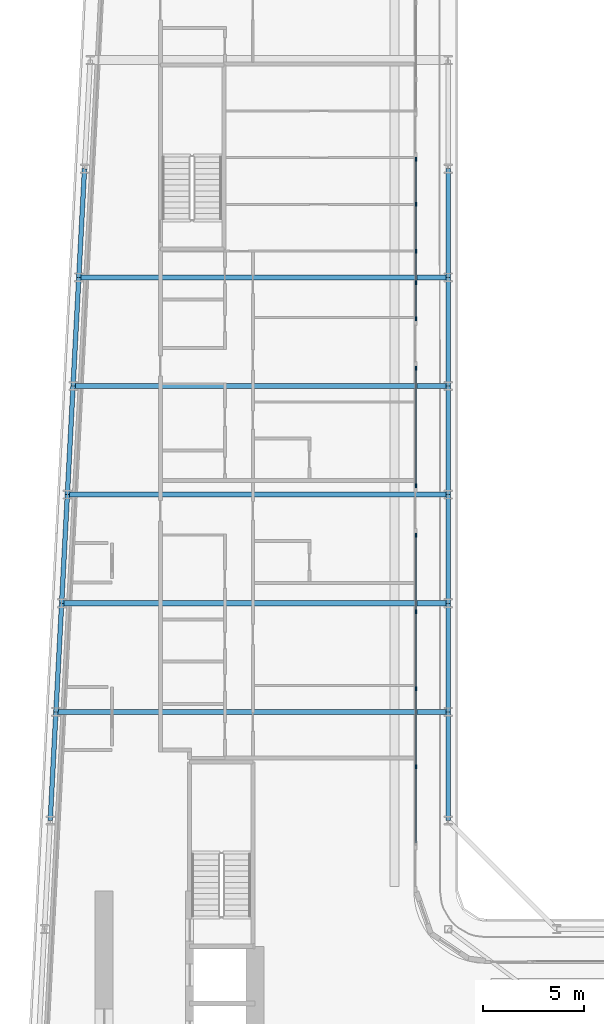
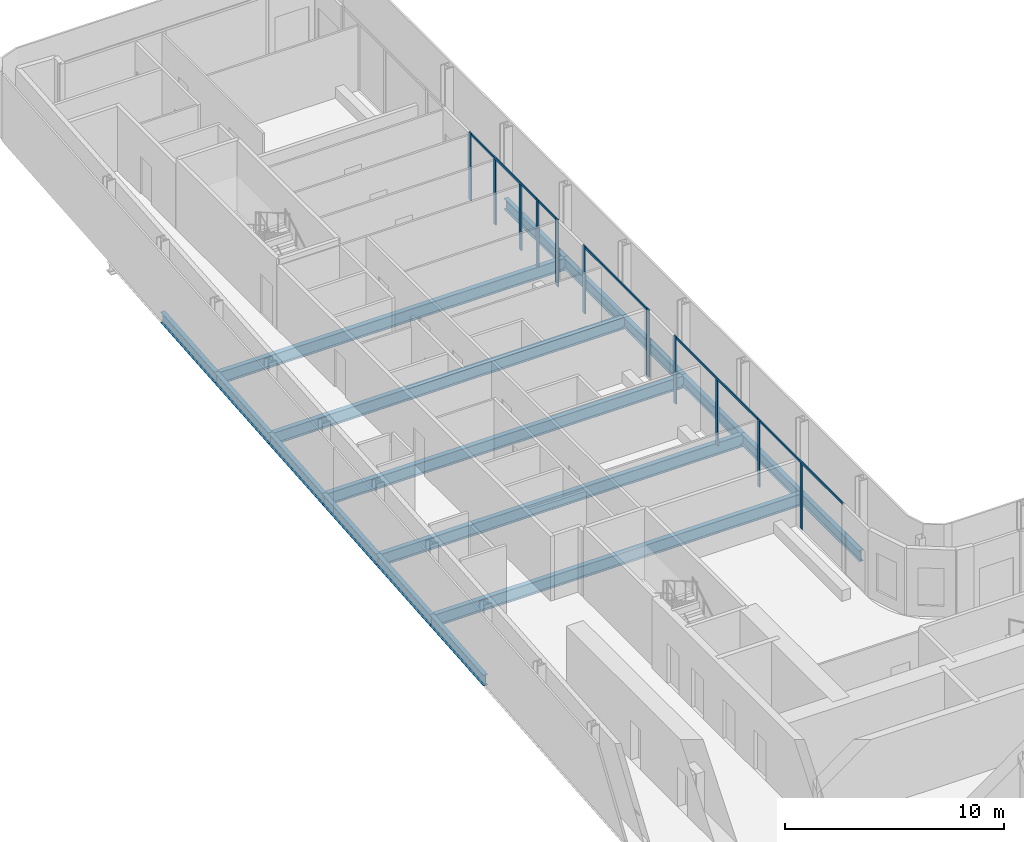
# One storey, part 7 of 28: 17 beams, 16 members, 5 elements without a shape of their own.
"""IFC4 building model written with IfcOpenShell, lengths in metres."""

from ifc_helpers import new_model, si_unit, direction, frame, origin, origin_2d, place, context, subcontext, project, spatial, rectangle, i_section, extrude, material, layer, layer_set, material_profile, profile_set, type_object, element, aggregate, save


model = new_model("IFC4")

# Units and contexts
model_context = context("Model", 3, precision=1e-05, world=origin(), true_north=direction((0.0, 1.0)))
body_context = subcontext(model_context, "Body", "Model", "MODEL_VIEW")
ifc_project = project(units=[si_unit("LENGTHUNIT", "METRE"), si_unit("AREAUNIT", "SQUARE_METRE"), si_unit("VOLUMEUNIT", "CUBIC_METRE"), si_unit("PLANEANGLEUNIT", "RADIAN"), si_unit("MASSUNIT", "GRAM", prefix="KILO")], contexts=[model_context])

# Site, building, storey
site_placement = place(None, origin())
site = spatial("IfcSite", under=ifc_project, at=site_placement, CompositionType="ELEMENT")
building_placement = place(site_placement, origin())
building = spatial("IfcBuilding", under=site, at=building_placement, Name="Kheshtan School and Residences Tower", CompositionType="ELEMENT")
storey_placement = place(building_placement, frame((0.0, 0.0, 137.0)))
storey = spatial("IfcBuildingStorey", under=building, at=storey_placement, Name="L32", CompositionType="ELEMENT", Elevation=137.0)

# Beams
ifc_material_1 = material(Name="Steel ASTM A992 Grade 50", Category="steel")
ifc_material_profile_1 = material_profile(ifc_material_1, i_section(OverallWidth=0.2529296875, OverallDepth=0.677978515625, WebThickness=0.01171875, FlangeThickness=0.016357421875, FilletRadius=0.0146484375, at=origin_2d()), Name="W690x125")
ifc_profile_set_1 = profile_set([ifc_material_profile_1], Name="Steel ASTM A992 Grade 50")
beam_type_1 = type_object("IfcBeamType", Name="Beam FB6 W690x125 ASTM A992 Grade 50", PredefinedType="BEAM", material=ifc_profile_set_1)
beam_1_placement = place(storey_placement, frame((47.60009765625, 78.0, -0.489013671875), z_axis=(-1.0, 0.0, 0.0), x_axis=(0.0, -1.0, 0.0)))
element("IfcBeam", 1, at=beam_1_placement, inside=storey, type_object=beam_type_1, Name="Floor beam C089", PredefinedType="BEAM", context=body_context, shape_type="SweptSolid", body=[
    extrude(i_section(OverallWidth=0.2529296875, OverallDepth=0.677978515625, WebThickness=0.01171875, FlangeThickness=0.016357421875, FilletRadius=0.0146484375, at=origin_2d()), origin(), (0.0, 0.0, 1.0), 18.357177734375),
])
beam_2_placement = place(storey_placement, frame((47.60009765625, 67.199951171875, -0.489013671875), z_axis=(-1.0, 0.0, 0.0), x_axis=(0.0, -1.0, 0.0)))
element("IfcBeam", 2, at=beam_2_placement, inside=storey, type_object=beam_type_1, Name="Floor beam C085", PredefinedType="BEAM", context=body_context, shape_type="SweptSolid", body=[
    extrude(i_section(OverallWidth=0.2529296875, OverallDepth=0.677978515625, WebThickness=0.01171875, FlangeThickness=0.016357421875, FilletRadius=0.0146484375, at=origin_2d()), origin(), (0.0, 0.0, 1.0), 18.926025390625),
])
beam_3_placement = place(storey_placement, frame((47.60009765625, 56.39990234375, -0.489013671875), z_axis=(-1.0, 0.0, 0.0), x_axis=(0.0, -1.0, 0.0)))
element("IfcBeam", 3, at=beam_3_placement, inside=storey, type_object=beam_type_1, Name="Floor beam C081", PredefinedType="BEAM", context=body_context, shape_type="SweptSolid", body=[
    extrude(i_section(OverallWidth=0.2529296875, OverallDepth=0.677978515625, WebThickness=0.01171875, FlangeThickness=0.016357421875, FilletRadius=0.0146484375, at=origin_2d()), origin(), (0.0, 0.0, 1.0), 19.494140625),
])
beam_4_placement = place(storey_placement, frame((28.389892578125, 61.800048828125, -0.489013671875), z_axis=(1.0, 0.0, 0.0), x_axis=(0.0, 1.0, 0.0)))
element("IfcBeam", 4, at=beam_4_placement, inside=storey, type_object=beam_type_1, Name="Floor beam C082", PredefinedType="BEAM", context=body_context, shape_type="SweptSolid", body=[
    extrude(i_section(OverallWidth=0.2529296875, OverallDepth=0.677978515625, WebThickness=0.01171875, FlangeThickness=0.016357421875, FilletRadius=0.0146484375, at=origin_2d()), origin(), (0.0, 0.0, 1.0), 19.210205078125),
])
beam_5_placement = place(storey_placement, frame((28.9580078125, 72.60009765625, -0.489013671875), z_axis=(1.0, 0.0, 0.0), x_axis=(0.0, 1.0, 0.0)))
element("IfcBeam", 5, at=beam_5_placement, inside=storey, type_object=beam_type_1, Name="Floor beam C086", PredefinedType="BEAM", context=body_context, shape_type="SweptSolid", body=[
    extrude(i_section(OverallWidth=0.2529296875, OverallDepth=0.677978515625, WebThickness=0.01171875, FlangeThickness=0.016357421875, FilletRadius=0.0146484375, at=origin_2d()), origin(), (0.0, 0.0, 1.0), 18.64208984375),
])
ifc_material_profile_2 = material_profile(ifc_material_1, i_section(OverallWidth=0.22802734375, OverallDepth=0.60302734375, WebThickness=0.010498046875, FlangeThickness=0.014892578125, FilletRadius=0.013427734375, at=origin_2d()), Name="W610x101")
ifc_profile_set_2 = profile_set([ifc_material_profile_2], Name="Steel ASTM A992 Grade 50")
beam_type_2 = type_object("IfcBeamType", Name="Beam SP2 W610x101 ASTM A992 Grade 50", PredefinedType="BEAM", material=ifc_profile_set_2)
for number, where, z_axis, x_axis, name in (
    (6, (47.60009765625, 83.39990234375, -0.451416015625), (0.0, -1.0, 0.0), (1.0, 0.0, 0.0), "Spandrel beam C091-C089"),
    (7, (47.60009765625, 78.0, -0.451416015625), (0.0, -1.0, 0.0), (1.0, 0.0, 0.0), "Spandrel beam C089-C087"),
):
    element("IfcBeam", number, at=place(storey_placement, frame(where, z_axis=z_axis, x_axis=x_axis)), inside=storey, type_object=beam_type_2, Name=name, PredefinedType="BEAM", context=body_context, shape_type="SweptSolid", body=[
        extrude(i_section(OverallWidth=0.22802734375, OverallDepth=0.60302734375, WebThickness=0.010498046875, FlangeThickness=0.014892578125, FilletRadius=0.013427734375, at=origin_2d()), origin(), (0.0, 0.0, 1.0), 5.39990234375),
    ])
beam_6_placement = place(storey_placement, frame((47.60009765625, 72.60009765625, -0.451416015625), z_axis=(0.0, -1.0, 0.0), x_axis=(1.0, 0.0, 0.0)))
element("IfcBeam", 8, at=beam_6_placement, inside=storey, type_object=beam_type_2, Name="Spandrel beam C087-C085", PredefinedType="BEAM", context=body_context, shape_type="SweptSolid", body=[
    extrude(i_section(OverallWidth=0.22802734375, OverallDepth=0.60302734375, WebThickness=0.010498046875, FlangeThickness=0.014892578125, FilletRadius=0.013427734375, at=origin_2d()), origin(), (0.0, 0.0, 1.0), 5.400146484375),
])
beam_7_placement = place(storey_placement, frame((47.60009765625, 67.199951171875, -0.451416015625), z_axis=(0.0, -1.0, 0.0), x_axis=(1.0, 0.0, 0.0)))
element("IfcBeam", 9, at=beam_7_placement, inside=storey, type_object=beam_type_2, Name="Spandrel beam C085-C083", PredefinedType="BEAM", context=body_context, shape_type="SweptSolid", body=[
    extrude(i_section(OverallWidth=0.22802734375, OverallDepth=0.60302734375, WebThickness=0.010498046875, FlangeThickness=0.014892578125, FilletRadius=0.013427734375, at=origin_2d()), origin(), (0.0, 0.0, 1.0), 5.39990234375),
])
beam_8_placement = place(storey_placement, frame((47.60009765625, 61.800048828125, -0.451416015625), z_axis=(0.0, -1.0, 0.0), x_axis=(1.0, 0.0, 0.0)))
element("IfcBeam", 10, at=beam_8_placement, inside=storey, type_object=beam_type_2, Name="Spandrel beam C083-C081", PredefinedType="BEAM", context=body_context, shape_type="SweptSolid", body=[
    extrude(i_section(OverallWidth=0.22802734375, OverallDepth=0.60302734375, WebThickness=0.010498046875, FlangeThickness=0.014892578125, FilletRadius=0.013427734375, at=origin_2d()), origin(), (0.0, 0.0, 1.0), 5.400146484375),
])
beam_9_placement = place(storey_placement, frame((47.60009765625, 56.39990234375, -0.451416015625), z_axis=(0.0, -1.0, 0.0), x_axis=(1.0, 0.0, 0.0)))
element("IfcBeam", 11, at=beam_9_placement, inside=storey, type_object=beam_type_2, Name="Spandrel beam C081-C079", PredefinedType="BEAM", context=body_context, shape_type="SweptSolid", body=[
    extrude(i_section(OverallWidth=0.22802734375, OverallDepth=0.60302734375, WebThickness=0.010498046875, FlangeThickness=0.014892578125, FilletRadius=0.013427734375, at=origin_2d()), origin(), (0.0, 0.0, 1.0), 5.39990234375),
])
beam_10_placement = place(storey_placement, frame((27.822021484375, 51.0, -0.451416015625), z_axis=(0.05250906864, 0.998620447272, 0.0), x_axis=(-0.998620447272, 0.05250906864, 0.0)))
element("IfcBeam", 12, at=beam_10_placement, inside=storey, type_object=beam_type_2, Name="Spandrel beam C078-C080", PredefinedType="BEAM", context=body_context, shape_type="SweptSolid", body=[
    extrude(i_section(OverallWidth=0.22802734375, OverallDepth=0.60302734375, WebThickness=0.010498046875, FlangeThickness=0.014892578125, FilletRadius=0.013427734375, at=origin_2d()), origin(), (0.0, 0.0, 1.0), 5.407470703125),
])
beam_11_placement = place(storey_placement, frame((28.10595703125, 56.39990234375, -0.451416015625), z_axis=(0.05250670125, 0.998620571751, 0.0), x_axis=(-0.998620571751, 0.05250670125, 0.0)))
element("IfcBeam", 13, at=beam_11_placement, inside=storey, type_object=beam_type_2, Name="Spandrel beam C080-C082", PredefinedType="BEAM", context=body_context, shape_type="SweptSolid", body=[
    extrude(i_section(OverallWidth=0.22802734375, OverallDepth=0.60302734375, WebThickness=0.010498046875, FlangeThickness=0.014892578125, FilletRadius=0.013427734375, at=origin_2d()), origin(), (0.0, 0.0, 1.0), 5.40771484375),
])
beam_12_placement = place(storey_placement, frame((28.389892578125, 61.800048828125, -0.451416015625), z_axis=(0.052554093665, 0.998618078766, 0.0), x_axis=(-0.998618078766, 0.052554093665, 0.0)))
element("IfcBeam", 14, at=beam_12_placement, inside=storey, type_object=beam_type_2, Name="Spandrel beam C082-C084", PredefinedType="BEAM", context=body_context, shape_type="SweptSolid", body=[
    extrude(i_section(OverallWidth=0.22802734375, OverallDepth=0.60302734375, WebThickness=0.010498046875, FlangeThickness=0.014892578125, FilletRadius=0.013427734375, at=origin_2d()), origin(), (0.0, 0.0, 1.0), 5.407470703125),
])
beam_13_placement = place(storey_placement, frame((28.674072265625, 67.199951171875, -0.451416015625), z_axis=(0.05250670125, 0.998620571751, 0.0), x_axis=(-0.998620571751, 0.05250670125, 0.0)))
element("IfcBeam", 15, at=beam_13_placement, inside=storey, type_object=beam_type_2, Name="Spandrel beam C084-C086", PredefinedType="BEAM", context=body_context, shape_type="SweptSolid", body=[
    extrude(i_section(OverallWidth=0.22802734375, OverallDepth=0.60302734375, WebThickness=0.010498046875, FlangeThickness=0.014892578125, FilletRadius=0.013427734375, at=origin_2d()), origin(), (0.0, 0.0, 1.0), 5.40771484375),
])
for number, where, z_axis, x_axis, name in (
    (16, (28.9580078125, 72.60009765625, -0.451416015625), (0.052689166816, 0.998610961136, 0.0), (-0.998610961136, 0.052689166816, 0.0), "Spandrel beam C086-C088"),
    (17, (29.242919921875, 78.0, -0.451416015625), (0.052554093665, 0.998618078766, 0.0), (-0.998618078766, 0.052554093665, 0.0), "Spandrel beam C088-C090"),
):
    element("IfcBeam", number, at=place(storey_placement, frame(where, z_axis=z_axis, x_axis=x_axis)), inside=storey, type_object=beam_type_2, Name=name, PredefinedType="BEAM", context=body_context, shape_type="SweptSolid", body=[
        extrude(i_section(OverallWidth=0.22802734375, OverallDepth=0.60302734375, WebThickness=0.010498046875, FlangeThickness=0.014892578125, FilletRadius=0.013427734375, at=origin_2d()), origin(), (0.0, 0.0, 1.0), 5.407470703125),
    ])

# Curtain wall, members
ifc_material_2 = material(Name="Clear low-e glass in thermally broken aluminium frame", Category="aluminium")
ifc_layer = layer(ifc_material_2, 0.199951171875)
ifc_layer_set = layer_set([ifc_layer], Name="Curtain wall CW-L")
curtain_wall_type = type_object("IfcCurtainWallType", Name="Curtain wall CW-L", PredefinedType="NOTDEFINED", material=ifc_layer_set)
curtain_wall_1_placement = place(storey_placement, origin())
curtain_wall_1 = element("IfcCurtainWall", 18, at=curtain_wall_1_placement, inside=storey, type_object=curtain_wall_type, Name="Curtain wall CWL8b", PredefinedType="NOTDEFINED")
ifc_material_3 = material(Name="Thermally broken aluminium, dark bronze anodised", Category="aluminium")
ifc_material_profile_3 = material_profile(ifc_material_3, rectangle(XDim=0.06005859375, YDim=0.199951171875, at=origin_2d()), Name="CW-L mullion 60x200")
ifc_profile_set_3 = profile_set([ifc_material_profile_3], Name="Thermally broken aluminium, dark bronze anodised")
member_type_1 = type_object("IfcMemberType", Name="CW-L mullion 60x200", PredefinedType="MULLION", material=ifc_profile_set_3)
member_1_placement = place(storey_placement, frame((46.0, 83.8759765625, 0.0), z_axis=(0.0, 0.0, 1.0), x_axis=(1.0, 0.0, 0.0)))
member_1 = element("IfcMember", 19, at=member_1_placement, type_object=member_type_1, Name="CWL8b mullion 1", PredefinedType="MULLION", context=body_context, shape_type="SweptSolid", body=[
    extrude(rectangle(XDim=0.06005859375, YDim=0.199951171875, at=origin_2d()), origin(), (0.0, 0.0, 1.0), 3.75),
])
member_2_placement = place(storey_placement, frame((46.0, 81.625, 0.0), z_axis=(0.0, 0.0, 1.0), x_axis=(1.0, 0.0, 0.0)))
member_2 = element("IfcMember", 20, at=member_2_placement, type_object=member_type_1, Name="CWL8b mullion 2", PredefinedType="MULLION", context=body_context, shape_type="SweptSolid", body=[
    extrude(rectangle(XDim=0.06005859375, YDim=0.199951171875, at=origin_2d()), origin(), (0.0, 0.0, 1.0), 3.6298828125),
])
member_3_placement = place(storey_placement, frame((46.0, 79.300048828125, 0.0), z_axis=(0.0, 0.0, 1.0), x_axis=(1.0, 0.0, 0.0)))
member_3 = element("IfcMember", 21, at=member_3_placement, type_object=member_type_1, Name="CWL8b mullion 3", PredefinedType="MULLION", context=body_context, shape_type="SweptSolid", body=[
    extrude(rectangle(XDim=0.06005859375, YDim=0.199951171875, at=origin_2d()), origin(), (0.0, 0.0, 1.0), 3.6298828125),
])
member_4_placement = place(storey_placement, frame((46.0, 77.741943359375, 0.0), z_axis=(0.0, 0.0, 1.0), x_axis=(1.0, 0.0, 0.0)))
member_4 = element("IfcMember", 22, at=member_4_placement, type_object=member_type_1, Name="CWL8b mullion 4", PredefinedType="MULLION", context=body_context, shape_type="SweptSolid", body=[
    extrude(rectangle(XDim=0.06005859375, YDim=0.199951171875, at=origin_2d()), origin(), (0.0, 0.0, 1.0), 3.75),
])

# Curtain wall, member
curtain_wall_2_placement = place(storey_placement, origin())
curtain_wall_2 = element("IfcCurtainWall", 23, at=curtain_wall_2_placement, inside=storey, type_object=curtain_wall_type, Name="Curtain wall CWL8e", PredefinedType="NOTDEFINED")
member_5_placement = place(storey_placement, frame((46.0, 75.94189453125, 0.0), z_axis=(0.0, 0.0, 1.0), x_axis=(1.0, 0.0, 0.0)))
member_5 = element("IfcMember", 24, at=member_5_placement, type_object=member_type_1, Name="CWL8e mullion 2", PredefinedType="MULLION", context=body_context, shape_type="SweptSolid", body=[
    extrude(rectangle(XDim=0.06005859375, YDim=0.199951171875, at=origin_2d()), origin(), (0.0, 0.0, 1.0), 3.75),
])

# Curtain wall, members
curtain_wall_3_placement = place(storey_placement, origin())
curtain_wall_3 = element("IfcCurtainWall", 25, at=curtain_wall_3_placement, inside=storey, type_object=curtain_wall_type, Name="Curtain wall CWL8f", PredefinedType="NOTDEFINED")
member_6_placement = place(storey_placement, frame((46.0, 73.48193359375, 0.0), z_axis=(0.0, 0.0, 1.0), x_axis=(1.0, 0.0, 0.0)))
member_6 = element("IfcMember", 26, at=member_6_placement, type_object=member_type_1, Name="CWL8f mullion 1", PredefinedType="MULLION", context=body_context, shape_type="SweptSolid", body=[
    extrude(rectangle(XDim=0.06005859375, YDim=0.199951171875, at=origin_2d()), origin(), (0.0, 0.0, 1.0), 3.75),
])
member_7_placement = place(storey_placement, frame((46.0, 67.64794921875, 0.0), z_axis=(0.0, 0.0, 1.0), x_axis=(1.0, 0.0, 0.0)))
member_7 = element("IfcMember", 27, at=member_7_placement, type_object=member_type_1, Name="CWL8f mullion 2", PredefinedType="MULLION", context=body_context, shape_type="SweptSolid", body=[
    extrude(rectangle(XDim=0.06005859375, YDim=0.199951171875, at=origin_2d()), origin(), (0.0, 0.0, 1.0), 3.75),
])

curtain_wall_4_placement = place(storey_placement, origin())
curtain_wall_4 = element("IfcCurtainWall", 28, at=curtain_wall_4_placement, inside=storey, type_object=curtain_wall_type, Name="Curtain wall CWL8", PredefinedType="NOTDEFINED")
member_8_placement = place(storey_placement, frame((46.0, 65.18798828125, 0.0), z_axis=(0.0, 0.0, 1.0), x_axis=(1.0, 0.0, 0.0)))
member_8 = element("IfcMember", 29, at=member_8_placement, type_object=member_type_1, Name="CWL8 mullion 1", PredefinedType="MULLION", context=body_context, shape_type="SweptSolid", body=[
    extrude(rectangle(XDim=0.06005859375, YDim=0.199951171875, at=origin_2d()), origin(), (0.0, 0.0, 1.0), 3.75),
])
member_9_placement = place(storey_placement, frame((46.0, 61.37109375, 0.0), z_axis=(0.0, 0.0, 1.0), x_axis=(1.0, 0.0, 0.0)))
member_9 = element("IfcMember", 30, at=member_9_placement, type_object=member_type_1, Name="CWL8 mullion 2", PredefinedType="MULLION", context=body_context, shape_type="SweptSolid", body=[
    extrude(rectangle(XDim=0.06005859375, YDim=0.199951171875, at=origin_2d()), origin(), (0.0, 0.0, 1.0), 3.6298828125),
])
member_10_placement = place(storey_placement, frame((46.0, 57.553955078125, 0.0), z_axis=(0.0, 0.0, 1.0), x_axis=(1.0, 0.0, 0.0)))
member_10 = element("IfcMember", 31, at=member_10_placement, type_object=member_type_1, Name="CWL8 mullion 3", PredefinedType="MULLION", context=body_context, shape_type="SweptSolid", body=[
    extrude(rectangle(XDim=0.06005859375, YDim=0.199951171875, at=origin_2d()), origin(), (0.0, 0.0, 1.0), 3.75),
])

# Curtain wall, member
curtain_wall_5_placement = place(storey_placement, origin())
curtain_wall_5 = element("IfcCurtainWall", 32, at=curtain_wall_5_placement, inside=storey, type_object=curtain_wall_type, Name="Curtain wall CWL8", PredefinedType="NOTDEFINED")
member_11_placement = place(storey_placement, frame((46.0, 53.677001953125, 0.0), z_axis=(0.0, 0.0, 1.0), x_axis=(1.0, 0.0, 0.0)))
member_11 = element("IfcMember", 33, at=member_11_placement, type_object=member_type_1, Name="CWL8 mullion 2", PredefinedType="MULLION", context=body_context, shape_type="SweptSolid", body=[
    extrude(rectangle(XDim=0.06005859375, YDim=0.199951171875, at=origin_2d()), origin(), (0.0, 0.0, 1.0), 3.6298828125),
])

# Member
ifc_material_profile_4 = material_profile(ifc_material_3, rectangle(XDim=0.06005859375, YDim=0.1201171875, at=origin_2d()), Name="CW-L transom 60x120")
ifc_profile_set_4 = profile_set([ifc_material_profile_4], Name="Thermally broken aluminium, dark bronze anodised")
member_type_2 = type_object("IfcMemberType", Name="CW-L transom 60x120", PredefinedType="USERDEFINED", material=ifc_profile_set_4)
member_12_placement = place(storey_placement, frame((46.0, 83.845947265625, 3.68994140625), z_axis=(0.0, -1.0, 0.0), x_axis=(1.0, 0.0, 0.0)))
member_12 = element("IfcMember", 34, at=member_12_placement, type_object=member_type_2, Name="CWL8b transom 1", ObjectType="TRANSOM", PredefinedType="USERDEFINED", context=body_context, shape_type="SweptSolid", body=[
    extrude(rectangle(XDim=0.06005859375, YDim=0.1201171875, at=origin_2d()), origin(), (0.0, 0.0, 1.0), 6.073974609375),
])

aggregate(curtain_wall_1, [member_1, member_2, member_3, member_4, member_12])

member_13_placement = place(storey_placement, frame((46.0, 77.7119140625, 3.68994140625), z_axis=(0.0, -1.0, 0.0), x_axis=(1.0, 0.0, 0.0)))
member_13 = element("IfcMember", 35, at=member_13_placement, type_object=member_type_2, Name="CWL8e transom 1", ObjectType="TRANSOM", PredefinedType="USERDEFINED", context=body_context, shape_type="SweptSolid", body=[
    extrude(rectangle(XDim=0.06005859375, YDim=0.1201171875, at=origin_2d()), origin(), (0.0, 0.0, 1.0), 1.739990234375),
])

aggregate(curtain_wall_2, [member_5, member_13])

member_14_placement = place(storey_placement, frame((46.0, 73.451904296875, 3.68994140625), z_axis=(0.0, -1.0, 0.0), x_axis=(1.0, 0.0, 0.0)))
member_14 = element("IfcMember", 36, at=member_14_placement, type_object=member_type_2, Name="CWL8f transom 1", ObjectType="TRANSOM", PredefinedType="USERDEFINED", context=body_context, shape_type="SweptSolid", body=[
    extrude(rectangle(XDim=0.06005859375, YDim=0.1201171875, at=origin_2d()), origin(), (0.0, 0.0, 1.0), 5.77392578125),
])

aggregate(curtain_wall_3, [member_6, member_7, member_14])

member_15_placement = place(storey_placement, frame((46.0, 65.157958984375, 3.68994140625), z_axis=(0.0, -1.0, 0.0), x_axis=(1.0, 0.0, 0.0)))
member_15 = element("IfcMember", 37, at=member_15_placement, type_object=member_type_2, Name="CWL8 transom 1", ObjectType="TRANSOM", PredefinedType="USERDEFINED", context=body_context, shape_type="SweptSolid", body=[
    extrude(rectangle(XDim=0.06005859375, YDim=0.1201171875, at=origin_2d()), origin(), (0.0, 0.0, 1.0), 7.573974609375),
])

aggregate(curtain_wall_4, [member_8, member_9, member_10, member_15])

member_16_placement = place(storey_placement, frame((46.0, 57.52392578125, 3.68994140625), z_axis=(0.0, -1.0, 0.0), x_axis=(1.0, 0.0, 0.0)))
member_16 = element("IfcMember", 38, at=member_16_placement, type_object=member_type_2, Name="CWL8 transom 1", ObjectType="TRANSOM", PredefinedType="USERDEFINED", context=body_context, shape_type="SweptSolid", body=[
    extrude(rectangle(XDim=0.06005859375, YDim=0.1201171875, at=origin_2d()), origin(), (0.0, 0.0, 1.0), 7.634033203125),
])

aggregate(curtain_wall_5, [member_11, member_16])

save(model, "model.ifc")
